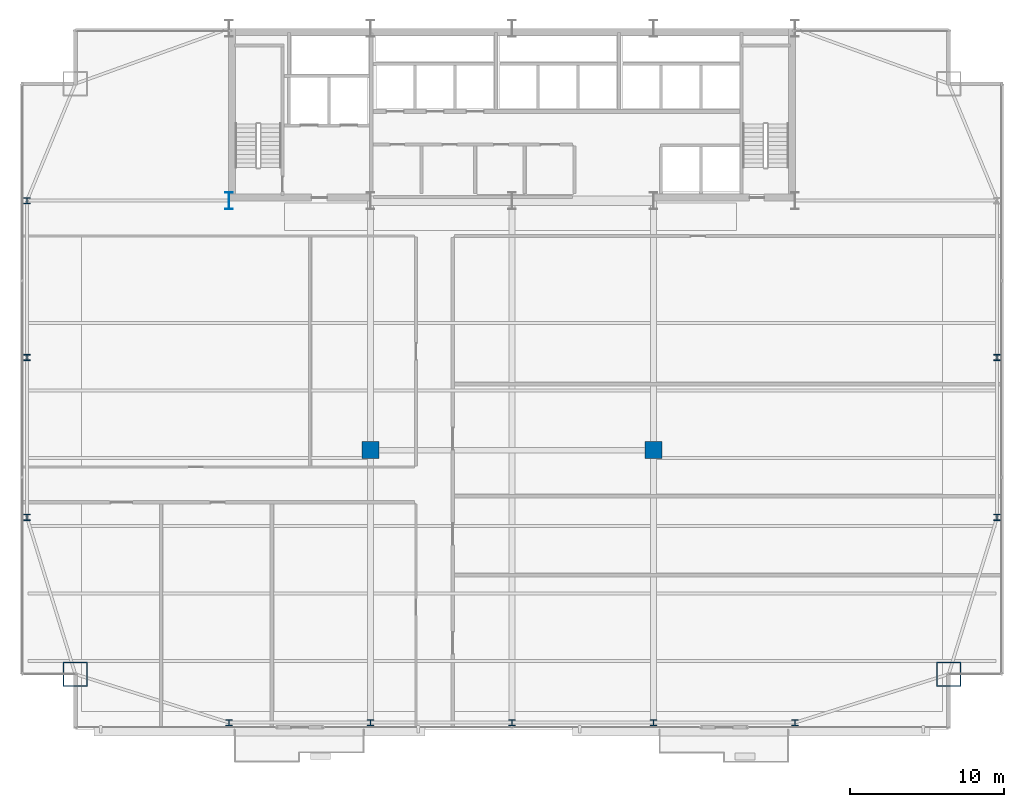
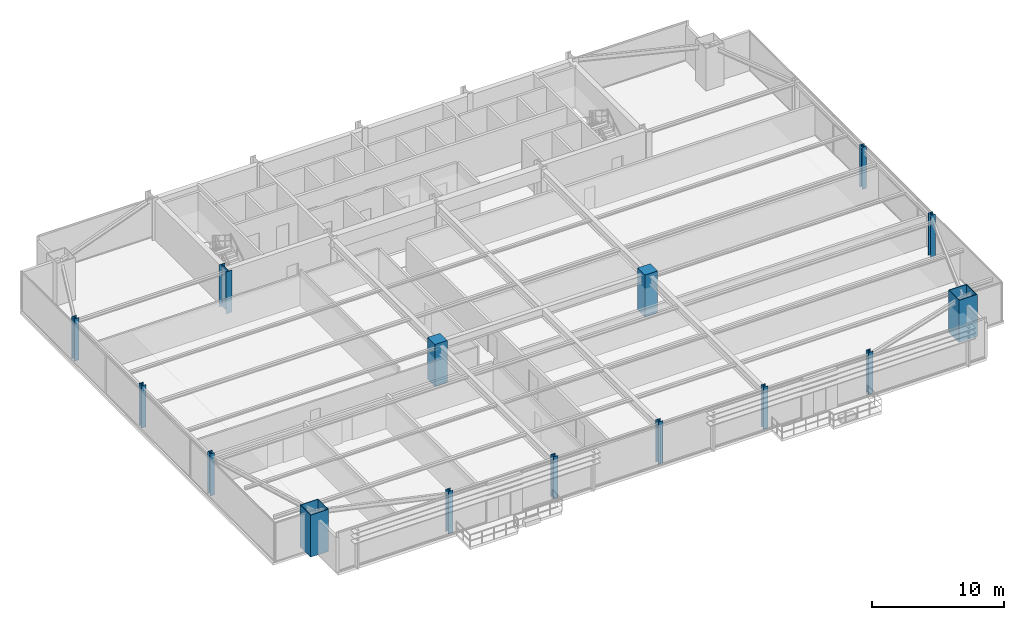
# One storey, part 1 of 29: 15 columns.
"""IFC4 building model written with IfcOpenShell, lengths in metres."""

from ifc_helpers import new_model, si_unit, direction, frame, origin, origin_2d, place, context, subcontext, project, spatial, rectangle, hollow_rectangle, i_section, extrude, source, transform, mapped, material, material_profile, profile_set, type_object, type_shapes, element, save


model = new_model("IFC4")

# Units and contexts
model_context = context("Model", 3, precision=1e-05, world=origin(), true_north=direction((0.0, 1.0)))
body_context = subcontext(model_context, "Body", "Model", "MODEL_VIEW")
ifc_project = project(units=[si_unit("LENGTHUNIT", "METRE"), si_unit("AREAUNIT", "SQUARE_METRE"), si_unit("VOLUMEUNIT", "CUBIC_METRE"), si_unit("PLANEANGLEUNIT", "RADIAN"), si_unit("MASSUNIT", "GRAM", prefix="KILO")], contexts=[model_context])

# Site, building, storey
site_placement = place(None, origin())
site = spatial("IfcSite", under=ifc_project, at=site_placement, CompositionType="ELEMENT")
building_placement = place(site_placement, origin())
building = spatial("IfcBuilding", under=site, at=building_placement, Name="Varnel Quay Broadcast Tower", CompositionType="ELEMENT")
storey_placement = place(building_placement, frame((0.0, 0.0, 74.39990234375)))
storey = spatial("IfcBuildingStorey", under=building, at=storey_placement, Name="L17", CompositionType="ELEMENT", Elevation=74.39990234375)

# Columns
ifc_material_1 = material(Name="Structural Steel CSA G40.21 350WT", Category="steel")
ifc_material_profile_1 = material_profile(ifc_material_1, i_section(OverallWidth=0.5, OverallDepth=1.10009765625, WebThickness=0.01806640625, FlangeThickness=0.031982421875, FilletRadius=0.01806640625, at=origin_2d()), Name="WWF1100X418")
ifc_profile_set_1 = profile_set([ifc_material_profile_1], Name="Structural Steel CSA G40.21 350WT")
column_type_1 = type_object("IfcColumnType", Name="Col_WWF1100X418", PredefinedType="COLUMN", material=ifc_profile_set_1)
shared_shape_1 = source(origin(), body_context, "Body", "SweptSolid", [
    extrude(i_section(OverallWidth=0.5, OverallDepth=1.10009765625, WebThickness=0.01806640625, FlangeThickness=0.031982421875, FilletRadius=0.01806640625, at=origin_2d()), origin(), (0.0, 0.0, 1.0), 3.900146484375),
])
type_shapes(column_type_1, [shared_shape_1])
column_placement = place(storey_placement, frame((15.60009765625, 35.60009765625, 0.0), z_axis=(0.0, 0.0, 1.0), x_axis=(1.0, 0.0, 0.0)))
element("IfcColumn", 1, at=column_placement, inside=storey, type_object=column_type_1, Name="L17 Column CC-S1", PredefinedType="COLUMN", context=body_context, shape_type="MappedRepresentation", body=[
    mapped(shared_shape_1, transform((0.0, 0.0, 0.0), x_axis=(1.0, 0.0, 0.0), y_axis=(0.0, 1.0, 0.0), z_axis=(0.0, 0.0, 1.0), scale=1.0)),
])
ifc_material_profile_2 = material_profile(ifc_material_1, hollow_rectangle(XDim=1.60009765625, YDim=1.60009765625, WallThickness=0.06005859375, at=origin_2d()), Name="BOX1600X1600X60")
ifc_profile_set_2 = profile_set([ifc_material_profile_2], Name="Structural Steel CSA G40.21 350WT")
column_type_2 = type_object("IfcColumnType", Name="Col_BOX1600X1600X60", PredefinedType="COLUMN", material=ifc_profile_set_2)
shared_shape_2 = source(origin(), body_context, "Body", "SweptSolid", [
    extrude(hollow_rectangle(XDim=1.60009765625, YDim=1.60009765625, WallThickness=0.06005859375, at=origin_2d()), origin(), (0.0, 0.0, 1.0), 3.900146484375),
])
type_shapes(column_type_2, [shared_shape_2])
for number, where, z_axis, x_axis, name in (
    (2, (5.60009765625, 4.800048828125, 0.0), (0.0, 0.0, 1.0), (1.0, 0.0, 0.0), "L17 Column MC-SW"),
    (3, (62.39990234375, 4.800048828125, 0.0), (0.0, 0.0, 1.0), (1.0, 0.0, 0.0), "L17 Column MC-SE"),
):
    element("IfcColumn", number, at=place(storey_placement, frame(where, z_axis=z_axis, x_axis=x_axis)), inside=storey, type_object=column_type_2, Name=name, PredefinedType="COLUMN", context=body_context, shape_type="MappedRepresentation", body=[
        mapped(shared_shape_2, transform((0.0, 0.0, 0.0), x_axis=(1.0, 0.0, 0.0), y_axis=(0.0, 1.0, 0.0), z_axis=(0.0, 0.0, 1.0), scale=1.0)),
    ])
ifc_material_2 = material(Name="Structural Steel CSA G40.21 350W", Category="steel")
ifc_material_profile_3 = material_profile(ifc_material_2, i_section(OverallWidth=0.404052734375, OverallDepth=0.406982421875, WebThickness=0.027099609375, FlangeThickness=0.043701171875, FilletRadius=0.01806640625, at=origin_2d()), Name="W360X347")
ifc_profile_set_3 = profile_set([ifc_material_profile_3], Name="Structural Steel CSA G40.21 350W")
column_type_3 = type_object("IfcColumnType", Name="Col_W360X347", PredefinedType="COLUMN", material=ifc_profile_set_3)
shared_shape_3 = source(origin(), body_context, "Body", "SweptSolid", [
    extrude(i_section(OverallWidth=0.404052734375, OverallDepth=0.406982421875, WebThickness=0.027099609375, FlangeThickness=0.043701171875, FilletRadius=0.01806640625, at=origin_2d()), origin(), (0.0, 0.0, 1.0), 3.900146484375),
])
type_shapes(column_type_3, [shared_shape_3])
for number, where, z_axis, x_axis, name in (
    (4, (15.60009765625, 1.64990234375, 0.0), (0.0, 0.0, 1.0), (1.0, 0.0, 0.0), "L17 Column TC-S1"),
    (5, (24.800048828125, 1.64990234375, 0.0), (0.0, 0.0, 1.0), (1.0, 0.0, 0.0), "L17 Column TC-S2"),
    (6, (34.0, 1.64990234375, 0.0), (0.0, 0.0, 1.0), (1.0, 0.0, 0.0), "L17 Column TC-S3"),
    (7, (43.199951171875, 1.64990234375, 0.0), (0.0, 0.0, 1.0), (1.0, 0.0, 0.0), "L17 Column TC-S4"),
    (8, (52.39990234375, 1.64990234375, 0.0), (0.0, 0.0, 1.0), (1.0, 0.0, 0.0), "L17 Column TC-S5"),
    (9, (2.449951171875, 15.0, 0.0), (0.0, 0.0, 1.0), (1.0, 0.0, 0.0), "L17 Column TC-W1"),
    (10, (65.550048828125, 15.0, 0.0), (0.0, 0.0, 1.0), (1.0, 0.0, 0.0), "L17 Column TC-E1"),
    (11, (2.449951171875, 25.39990234375, 0.0), (0.0, 0.0, 1.0), (1.0, 0.0, 0.0), "L17 Column TC-W2"),
    (12, (65.550048828125, 25.39990234375, 0.0), (0.0, 0.0, 1.0), (1.0, 0.0, 0.0), "L17 Column TC-E2"),
    (13, (2.449951171875, 35.60009765625, 0.0), (0.0, 0.0, 1.0), (1.0, 0.0, 0.0), "L17 Column TC-W3"),
):
    element("IfcColumn", number, at=place(storey_placement, frame(where, z_axis=z_axis, x_axis=x_axis)), inside=storey, type_object=column_type_3, Name=name, PredefinedType="COLUMN", context=body_context, shape_type="MappedRepresentation", body=[
        mapped(shared_shape_3, transform((0.0, 0.0, 0.0), x_axis=(1.0, 0.0, 0.0), y_axis=(0.0, 1.0, 0.0), z_axis=(0.0, 0.0, 1.0), scale=1.0)),
    ])
ifc_material_3 = material(Name="Concrete CSA A23.3 C60/75", Category="concrete")
ifc_material_profile_4 = material_profile(ifc_material_3, rectangle(XDim=1.10009765625, YDim=1.10009765625, at=origin_2d()), Name="RC1100X1100")
ifc_profile_set_4 = profile_set([ifc_material_profile_4], Name="Concrete CSA A23.3 C60/75")
column_type_4 = type_object("IfcColumnType", Name="Col_RC1100X1100", PredefinedType="COLUMN", material=ifc_profile_set_4)
shared_shape_4 = source(origin(), body_context, "Body", "SweptSolid", [
    extrude(rectangle(XDim=1.10009765625, YDim=1.10009765625, at=origin_2d()), origin(), (0.0, 0.0, 1.0), 3.900146484375),
])
type_shapes(column_type_4, [shared_shape_4])
for number, where, z_axis, x_axis, name in (
    (14, (24.800048828125, 19.3701171875, 0.0), (0.0, 0.0, 1.0), (1.0, 0.0, 0.0), "L17 Column IC-01"),
    (15, (43.199951171875, 19.3701171875, 0.0), (0.0, 0.0, 1.0), (1.0, 0.0, 0.0), "L17 Column IC-02"),
):
    element("IfcColumn", number, at=place(storey_placement, frame(where, z_axis=z_axis, x_axis=x_axis)), inside=storey, type_object=column_type_4, Name=name, PredefinedType="COLUMN", context=body_context, shape_type="MappedRepresentation", body=[
        mapped(shared_shape_4, transform((0.0, 0.0, 0.0), x_axis=(1.0, 0.0, 0.0), y_axis=(0.0, 1.0, 0.0), z_axis=(0.0, 0.0, 1.0), scale=1.0)),
    ])

save(model, "model.ifc")
